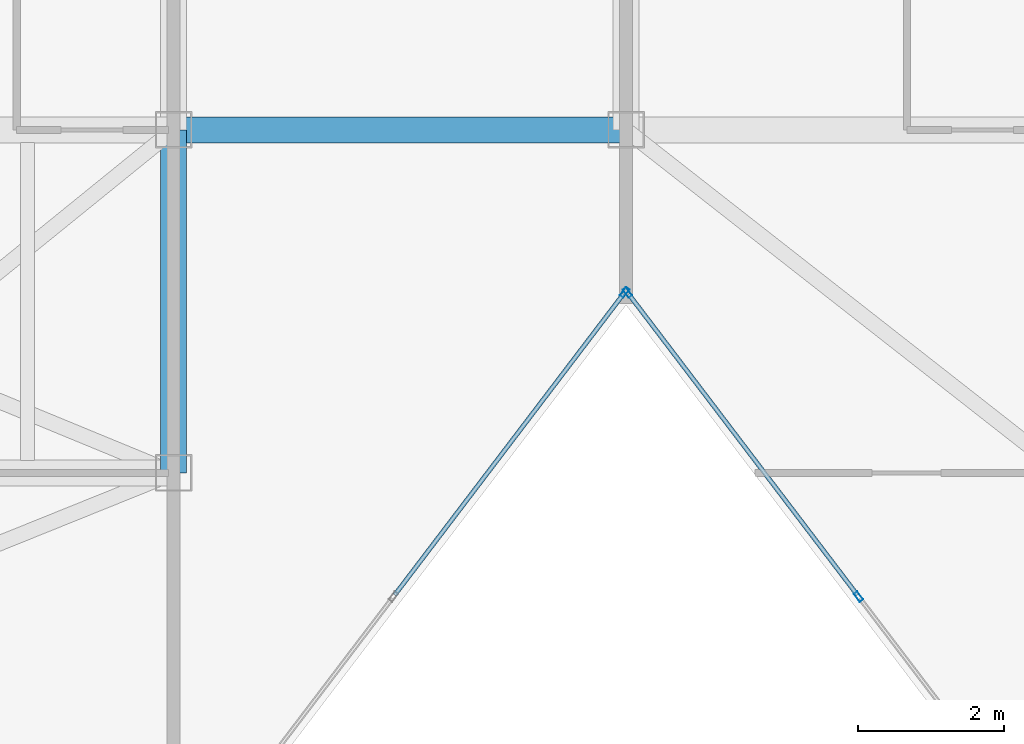
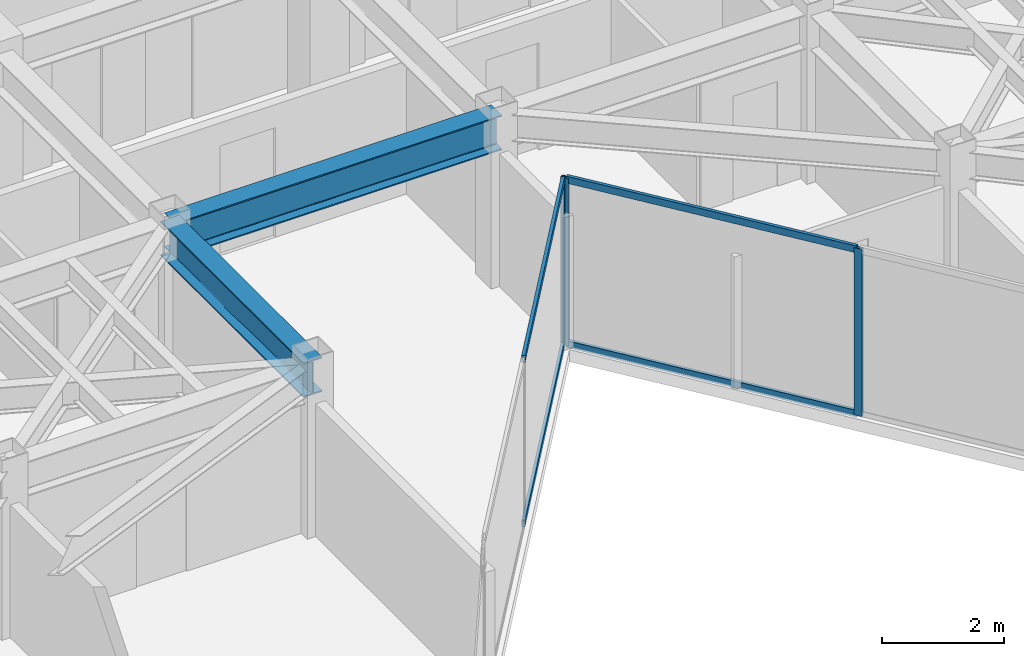
# One storey, part 8 of 20: 7 members, 2 beams, 2 elements without a shape of their own.
"""IFC4 building model written with IfcOpenShell, lengths in metres."""

from ifc_helpers import new_model, si_unit, direction, frame, origin, origin_2d, place, context, subcontext, project, spatial, hollow_rectangle, i_section, extrude, material, layer, layer_set, material_profile, profile_set, type_object, element, aggregate, save


model = new_model("IFC4")

# Units and contexts
model_context = context("Model", 3, precision=1e-05, world=origin(), true_north=direction((0.0, 1.0)))
body_context = subcontext(model_context, "Body", "Model", "MODEL_VIEW")
ifc_project = project(units=[si_unit("LENGTHUNIT", "METRE"), si_unit("AREAUNIT", "SQUARE_METRE"), si_unit("VOLUMEUNIT", "CUBIC_METRE"), si_unit("PLANEANGLEUNIT", "RADIAN"), si_unit("MASSUNIT", "GRAM", prefix="KILO")], contexts=[model_context])

# Site, building, storey
site_placement = place(None, origin())
site = spatial("IfcSite", under=ifc_project, at=site_placement, CompositionType="ELEMENT")
building_placement = place(site_placement, origin())
building = spatial("IfcBuilding", under=site, at=building_placement, Name="Kravanh Interchange Tower", CompositionType="ELEMENT")
storey_placement = place(building_placement, frame((0.0, 0.0, 238.199951171875)))
storey = spatial("IfcBuildingStorey", under=building, at=storey_placement, Name="L57", CompositionType="ELEMENT", Elevation=238.199951171875)

# Curtain wall, members
ifc_material_1 = material(Name="Anodised Bronze Aluminium", Category="aluminium")
ifc_layer = layer(ifc_material_1, 0.179931640625)
ifc_layer_set = layer_set([ifc_layer], Name="Unitised Curtain Wall System CW-HTL Luxury Hotel")
curtain_wall_type = type_object("IfcCurtainWallType", Name="Unitised Curtain Wall System CW-HTL Luxury Hotel", PredefinedType="NOTDEFINED", material=ifc_layer_set)
curtain_wall_1_placement = place(storey_placement, origin())
curtain_wall_1 = element("IfcCurtainWall", 1, at=curtain_wall_1_placement, inside=storey, type_object=curtain_wall_type, Name="L57 Unitised Curtain Wall CW-L57-04", PredefinedType="NOTDEFINED")
ifc_material_2 = material(Name="Anodised Bronze Aluminium", Category="aluminium")
ifc_material_profile_1 = material_profile(ifc_material_2, hollow_rectangle(XDim=0.06005859375, YDim=0.139892578125, WallThickness=0.00390625, at=origin_2d()), Name="ALU60X140X4")
ifc_profile_set_1 = profile_set([ifc_material_profile_1], Name="Anodised Bronze Aluminium")
member_type_1 = type_object("IfcMemberType", Name="Curtain Wall Mullion ALU60X140X4 Bronze", PredefinedType="MULLION", material=ifc_profile_set_1)
member_1_placement = place(storey_placement, frame((47.986572265625, 25.10546875, 0.0), z_axis=(0.0, 0.0, 1.0), x_axis=(-0.79616243806, -0.605082946564, 0.0)))
member_1 = element("IfcMember", 2, at=member_1_placement, type_object=member_type_1, Name="CW-HTL mullion 3", PredefinedType="MULLION", context=body_context, shape_type="SweptSolid", body=[
    extrude(hollow_rectangle(XDim=0.06005859375, YDim=0.139892578125, WallThickness=0.00390625, at=origin_2d()), origin(), (0.0, 0.0, 1.0), 3.360107421875),
])
member_2_placement = place(storey_placement, frame((44.818115234375, 29.2744140625, 0.0), z_axis=(0.0, 0.0, 1.0), x_axis=(-0.79616243806, -0.605082946564, 0.0)))
member_2 = element("IfcMember", 3, at=member_2_placement, type_object=member_type_1, Name="CW-HTL mullion 4", PredefinedType="MULLION", context=body_context, shape_type="SweptSolid", body=[
    extrude(hollow_rectangle(XDim=0.06005859375, YDim=0.139892578125, WallThickness=0.00390625, at=origin_2d()), origin(), (0.0, 0.0, 1.0), 3.360107421875),
])

# Curtain wall, member
curtain_wall_2_placement = place(storey_placement, origin())
curtain_wall_2 = element("IfcCurtainWall", 4, at=curtain_wall_2_placement, inside=storey, type_object=curtain_wall_type, Name="L57 Unitised Curtain Wall CW-L57-05", PredefinedType="NOTDEFINED")
member_3_placement = place(storey_placement, frame((44.78173828125, 29.2744140625, 0.0), z_axis=(0.0, 0.0, 1.0), x_axis=(0.79616243806, -0.605082946564, 0.0)))
member_3 = element("IfcMember", 5, at=member_3_placement, type_object=member_type_1, Name="CW-HTL mullion 1", PredefinedType="MULLION", context=body_context, shape_type="SweptSolid", body=[
    extrude(hollow_rectangle(XDim=0.06005859375, YDim=0.139892578125, WallThickness=0.00390625, at=origin_2d()), origin(), (0.0, 0.0, 1.0), 3.360107421875),
])

# Member
ifc_material_3 = material(Name="Anodised Bronze Aluminium", Category="aluminium")
ifc_material_profile_2 = material_profile(ifc_material_3, hollow_rectangle(XDim=0.06005859375, YDim=0.139892578125, WallThickness=0.00390625, at=origin_2d()), Name="ALU60X140X4")
ifc_profile_set_2 = profile_set([ifc_material_profile_2], Name="Anodised Bronze Aluminium")
member_type_2 = type_object("IfcMemberType", Name="Curtain Wall Transom ALU60X140X4 Bronze", PredefinedType="USERDEFINED", material=ifc_profile_set_2)
member_4_placement = place(storey_placement, frame((47.96826171875, 25.12939453125, 0.030029296875), z_axis=(-0.605059348861, 0.796180371747, 0.0), x_axis=(-0.796180371747, -0.605059348861, 0.0)))
member_4 = element("IfcMember", 6, at=member_4_placement, type_object=member_type_2, Name="CW-HTL transom 3.1", ObjectType="TRANSOM", PredefinedType="USERDEFINED", context=body_context, shape_type="SweptSolid", body=[
    extrude(hollow_rectangle(XDim=0.06005859375, YDim=0.139892578125, WallThickness=0.00390625, at=origin_2d()), origin(), (0.0, 0.0, 1.0), 5.176025390625),
])

member_5_placement = place(storey_placement, frame((47.96826171875, 25.12939453125, 3.330078125), z_axis=(-0.605059348861, 0.796180371747, 0.0), x_axis=(-0.796180371747, -0.605059348861, 0.0)))
member_5 = element("IfcMember", 7, at=member_5_placement, type_object=member_type_2, Name="CW-HTL transom 3.2", ObjectType="TRANSOM", PredefinedType="USERDEFINED", context=body_context, shape_type="SweptSolid", body=[
    extrude(hollow_rectangle(XDim=0.06005859375, YDim=0.139892578125, WallThickness=0.00390625, at=origin_2d()), origin(), (0.0, 0.0, 1.0), 5.176025390625),
])

aggregate(curtain_wall_1, [member_1, member_2, member_4, member_5])

member_6_placement = place(storey_placement, frame((44.763671875, 29.25048828125, 0.030029296875), z_axis=(-0.605089246946, -0.796157649734, 0.0), x_axis=(0.796157649734, -0.605089246946, 0.0)))
member_6 = element("IfcMember", 8, at=member_6_placement, type_object=member_type_2, Name="CW-HTL transom 1.1", ObjectType="TRANSOM", PredefinedType="USERDEFINED", context=body_context, shape_type="SweptSolid", body=[
    extrude(hollow_rectangle(XDim=0.06005859375, YDim=0.139892578125, WallThickness=0.00390625, at=origin_2d()), origin(), (0.0, 0.0, 1.0), 5.17626953125),
])

member_7_placement = place(storey_placement, frame((44.763671875, 29.25048828125, 3.330078125), z_axis=(-0.605089246946, -0.796157649734, 0.0), x_axis=(0.796157649734, -0.605089246946, 0.0)))
member_7 = element("IfcMember", 9, at=member_7_placement, type_object=member_type_2, Name="CW-HTL transom 1.2", ObjectType="TRANSOM", PredefinedType="USERDEFINED", context=body_context, shape_type="SweptSolid", body=[
    extrude(hollow_rectangle(XDim=0.06005859375, YDim=0.139892578125, WallThickness=0.00390625, at=origin_2d()), origin(), (0.0, 0.0, 1.0), 5.17626953125),
])

aggregate(curtain_wall_2, [member_3, member_6, member_7])

# Beams
ifc_material_4 = material(Name="Structural Steel S355", Category="steel")
ifc_material_profile_3 = material_profile(ifc_material_4, i_section(OverallWidth=0.35498046875, OverallDepth=0.696044921875, WebThickness=0.015380859375, FlangeThickness=0.02490234375, FilletRadius=0.02392578125, at=origin_2d()), Name="W27X146")
ifc_profile_set_3 = profile_set([ifc_material_profile_3], Name="Structural Steel S355")
beam_type = type_object("IfcBeamType", Name="Floor Beam W27X146 Structural Steel S355", PredefinedType="BEAM", material=ifc_profile_set_3)
beam_1_placement = place(storey_placement, frame((44.800048828125, 31.5, 3.011962890625), z_axis=(-1.0, 0.0, 0.0), x_axis=(0.0, -1.0, 0.0)))
element("IfcBeam", 10, at=beam_1_placement, inside=storey, type_object=beam_type, Name="L57 Primary Floor Girder 3", PredefinedType="BEAM", context=body_context, shape_type="SweptSolid", body=[
    extrude(i_section(OverallWidth=0.35498046875, OverallDepth=0.696044921875, WebThickness=0.015380859375, FlangeThickness=0.02490234375, FilletRadius=0.02392578125, at=origin_2d()), origin(), (0.0, 0.0, 1.0), 6.199951171875),
])
beam_2_placement = place(storey_placement, frame((38.60009765625, 31.5, 3.011962890625), z_axis=(0.0, -1.0, 0.0), x_axis=(1.0, 0.0, 0.0)))
element("IfcBeam", 11, at=beam_2_placement, inside=storey, type_object=beam_type, Name="L57 Primary Floor Girder 17", PredefinedType="BEAM", context=body_context, shape_type="SweptSolid", body=[
    extrude(i_section(OverallWidth=0.35498046875, OverallDepth=0.696044921875, WebThickness=0.015380859375, FlangeThickness=0.02490234375, FilletRadius=0.02392578125, at=origin_2d()), origin(), (0.0, 0.0, 1.0), 4.699951171875),
])

save(model, "model.ifc")
